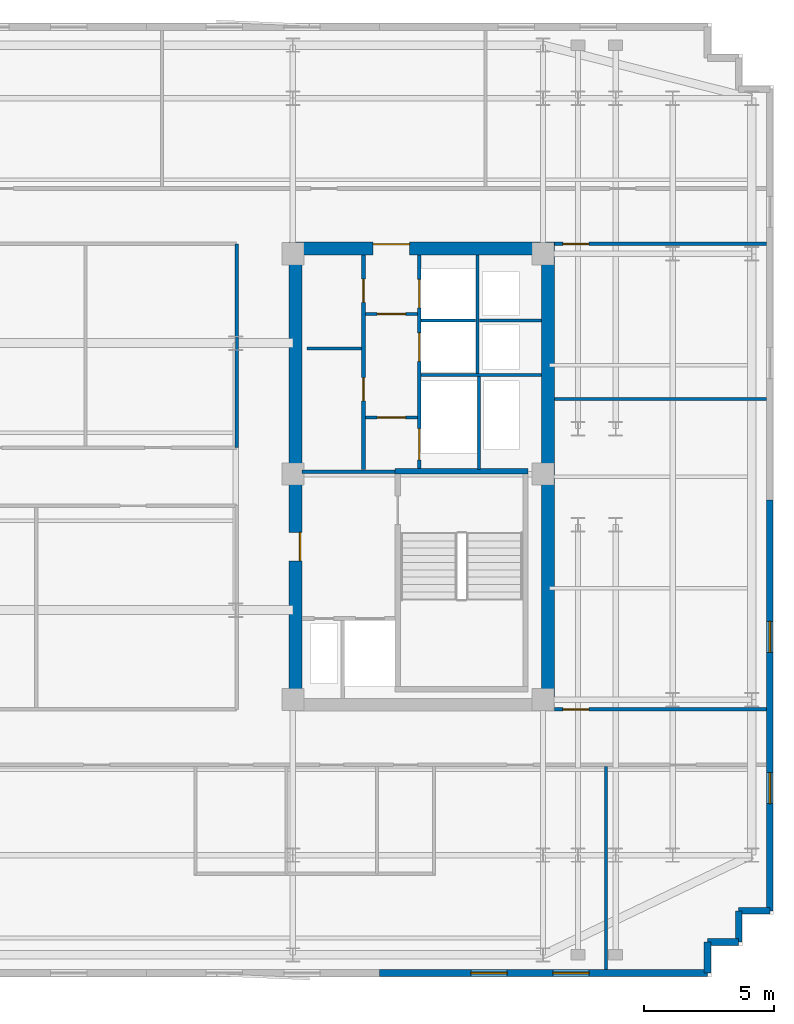
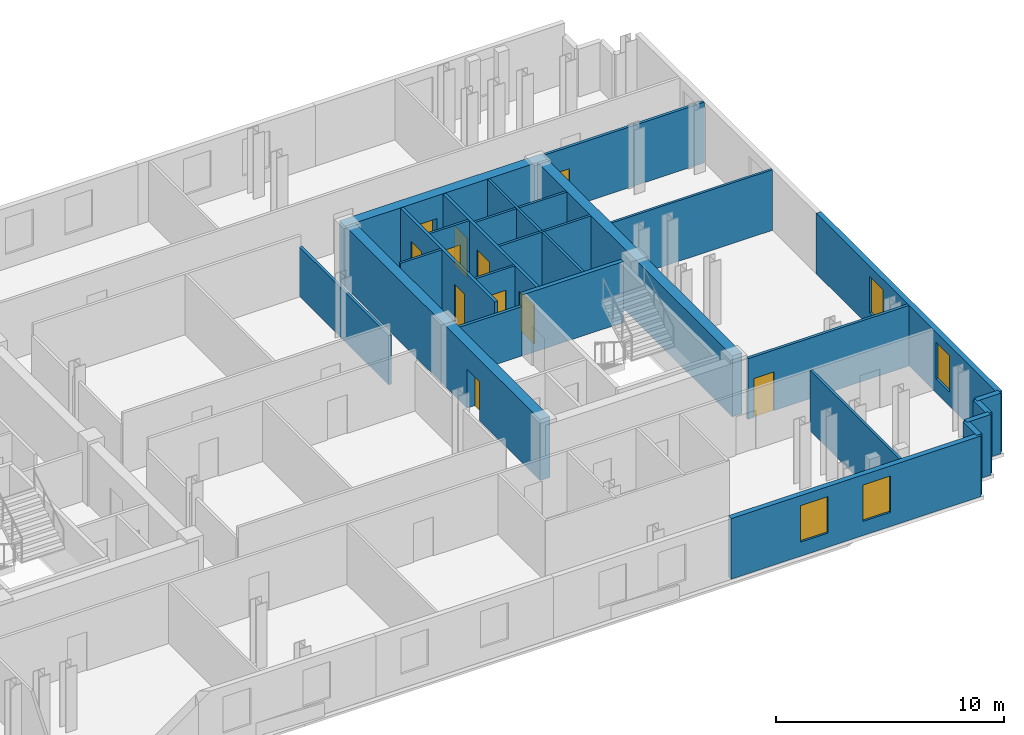
# One storey, part 6 of 9: 26 walls, 11 doors, 4 windows, 15 openings.
"""IFC4 building model written with IfcOpenShell, lengths in metres."""

from ifc_helpers import new_model, si_unit, direction, frame, frame_2d, origin, place, context, subcontext, project, spatial, rectangle, extrude, material, layer, layer_set, type_object, element, fill, save


model = new_model("IFC4")

# Units and contexts
model_context = context("Model", 3, precision=1e-05, world=origin(), true_north=direction((0.0, 1.0)))
body_context = subcontext(model_context, "Body", "Model", "MODEL_VIEW")
ifc_project = project(units=[si_unit("LENGTHUNIT", "METRE"), si_unit("AREAUNIT", "SQUARE_METRE"), si_unit("VOLUMEUNIT", "CUBIC_METRE"), si_unit("PLANEANGLEUNIT", "RADIAN"), si_unit("MASSUNIT", "GRAM", prefix="KILO")], contexts=[model_context])

# Site, building, storey
site_placement = place(None, origin())
site = spatial("IfcSite", under=ifc_project, at=site_placement, CompositionType="ELEMENT")
building_placement = place(site_placement, origin())
building = spatial("IfcBuilding", under=site, at=building_placement, Name="Velakula Bourse", CompositionType="ELEMENT")
storey_placement = place(building_placement, frame((0.0, 0.0, 218.85009765625)))
storey = spatial("IfcBuildingStorey", under=building, at=storey_placement, Name="L59", CompositionType="ELEMENT", Elevation=218.85009765625)

# Wall
ifc_material_1 = material(Name="Concrete M50 (fck 50 MPa)", Category="concrete")
ifc_layer_1 = layer(ifc_material_1, 0.2099609375, Name="Concrete M50 (fck 50 MPa)", Category="concrete")
ifc_layer_set_1 = layer_set([ifc_layer_1], Name="Concrete M50 (fck 50 MPa)")
wall_type_1 = type_object("IfcWallType", Name="WL-CORE-210", PredefinedType="SHEAR", material=ifc_layer_set_1)
wall_1_placement = place(storey_placement, frame((18.030029296875, 0.205078125, 0.0), z_axis=(0.0, 0.0, 1.0), x_axis=(-1.0, 0.0, 0.0)))
element("IfcWall", 1, at=wall_1_placement, inside=storey, type_object=wall_type_1, Name="L59 Core E Stairwell Shear Wall N", PredefinedType="SHEAR", context=body_context, shape_type="SweptSolid", body=[
    extrude(rectangle(XDim=5.14013671875, YDim=0.2099609375, at=frame_2d((2.570068359375, 0.0))), origin(), (0.0, 0.0, 1.0), 3.27001953125),
])

# Wall, opening, door
ifc_layer_2 = layer(ifc_material_1, 0.5, Name="Concrete M50 (fck 50 MPa)", Category="concrete")
ifc_layer_set_2 = layer_set([ifc_layer_2], Name="Concrete M50 (fck 50 MPa)")
wall_type_2 = type_object("IfcWallType", Name="WL-CORE-500", PredefinedType="SHEAR", material=ifc_layer_set_2)
wall_2_placement = place(storey_placement, frame((8.800048828125, 8.800048828125, 0.0), z_axis=(0.0, 0.0, 1.0), x_axis=(1.0, 0.0, 0.0)))
wall_2 = element("IfcWall", 2, at=wall_2_placement, inside=storey, type_object=wall_type_2, Name="L59 Core E Shear Wall N", PredefinedType="SHEAR", context=body_context, shape_type="SweptSolid", body=[
    extrude(rectangle(XDim=10.25, YDim=0.5, at=frame_2d((5.125, 0.0))), origin(), (0.0, 0.0, 1.0), 3.27001953125),
])
opening_1_placement = place(wall_2_placement, frame((3.25, 0.0, 0.0)))
opening_1 = element("IfcOpeningElement", 3, at=opening_1_placement, cuts=wall_2, Name="Opening D-LLE", PredefinedType="OPENING", context=body_context, shape_type="SweptSolid", body=[
    extrude(rectangle(XDim=1.39990234375, YDim=2.050048828125, at=frame_2d((0.699951171875, 1.02490234375))), frame((0.0, 0.260009765625, 0.0), z_axis=(0.0, -1.0, 0.0), x_axis=(1.0, 0.0, 0.0)), (0.0, 0.0, 1.0), 0.52001953125),
])
ifc_material_2 = material(Name="Fire-rated hardwood flush architectural door", Category="wood")
door_type_1 = type_object("IfcDoorType", Name="DR-DBL-FD60-1400", OperationType="DOUBLE_DOOR_SINGLE_SWING", PredefinedType="DOOR", material=ifc_material_2)
door_1_placement = place(opening_1_placement, origin())
door_1 = element("IfcDoor", 4, at=door_1_placement, inside=storey, type_object=door_type_1, Name="L59 Core E Lift Lobby Corridor Double Door", OperationType="DOUBLE_DOOR_SINGLE_SWING", OverallHeight=2.050048828125, OverallWidth=1.39990234375, PredefinedType="DOOR", context=body_context, shape_type="SweptSolid", body=[
    extrude(rectangle(XDim=1.39990234375, YDim=2.050048828125, at=frame_2d((0.699951171875, 1.02490234375))), frame((0.0, 0.19482421875, 0.0), z_axis=(0.0, -1.0, 0.0), x_axis=(1.0, 0.0, 0.0)), (0.0, 0.0, 1.0), 0.050048828125),
])
fill(opening_1, door_1)

wall_3_placement = place(storey_placement, frame((9.050048828125, -8.550048828125, 0.0), z_axis=(0.0, 0.0, 1.0), x_axis=(0.0, 1.0, 0.0)))
wall_3 = element("IfcWall", 5, at=wall_3_placement, inside=storey, type_object=wall_type_2, Name="L59 Core E Shear Wall W", PredefinedType="SHEAR", context=body_context, shape_type="SweptSolid", body=[
    extrude(rectangle(XDim=17.10009765625, YDim=0.5, at=frame_2d((8.550048828125, 0.0))), origin(), (0.0, 0.0, 1.0), 3.27001953125),
])
opening_2_placement = place(wall_3_placement, frame((5.300048828125, 0.0, 0.0)))
opening_2 = element("IfcOpeningElement", 6, at=opening_2_placement, cuts=wall_3, Name="Opening D-FLE", PredefinedType="OPENING", context=body_context, shape_type="SweptSolid", body=[
    extrude(rectangle(XDim=1.10009765625, YDim=2.080078125, at=frame_2d((0.550048828125, 1.0400390625))), frame((0.0, 0.260009765625, 0.0), z_axis=(0.0, -1.0, 0.0), x_axis=(1.0, 0.0, 0.0)), (0.0, 0.0, 1.0), 0.52001953125),
])
ifc_material_3 = material(Name="Galvanised painted hollow steel fire door", Category="steel")
door_type_2 = type_object("IfcDoorType", Name="DR-FD120-1100", OperationType="NOTDEFINED", PredefinedType="DOOR", material=ifc_material_3)
door_2_placement = place(opening_2_placement, origin())
door_2 = element("IfcDoor", 7, at=door_2_placement, inside=storey, type_object=door_type_2, Name="L59 Firefighting Lobby E Corridor Fire Door", OperationType="SINGLE_SWING_RIGHT", OverallHeight=2.080078125, OverallWidth=1.10009765625, PredefinedType="DOOR", context=body_context, shape_type="SweptSolid", body=[
    extrude(rectangle(XDim=1.10009765625, YDim=2.080078125, at=frame_2d((0.550048828125, 1.0400390625))), frame((0.0, -0.15478515625, 0.0), z_axis=(0.0, -1.0, 0.0), x_axis=(1.0, 0.0, 0.0)), (0.0, 0.0, 1.0), 0.050048828125),
])
fill(opening_2, door_2)

# Wall
wall_4_placement = place(storey_placement, frame((18.800048828125, -8.550048828125, 0.0), z_axis=(0.0, 0.0, 1.0), x_axis=(0.0, 1.0, 0.0)))
element("IfcWall", 8, at=wall_4_placement, inside=storey, type_object=wall_type_2, Name="L59 Core E Shear Wall E", PredefinedType="SHEAR", context=body_context, shape_type="SweptSolid", body=[
    extrude(rectangle(XDim=17.10009765625, YDim=0.5, at=frame_2d((8.550048828125, 0.0))), origin(), (0.0, 0.0, 1.0), 3.27001953125),
])

# Wall, openings, windows
ifc_material_4 = material(Name="Buff kilned clay facing brick masonry", Category="masonry")
ifc_layer_3 = layer(ifc_material_4, 0.260009765625, Name="Buff kilned clay facing brick masonry", Category="masonry")
ifc_layer_set_3 = layer_set([ifc_layer_3], Name="Buff kilned clay facing brick masonry")
wall_type_3 = type_object("IfcWallType", Name="WL-EXT-BRK-260", PredefinedType="STANDARD", material=ifc_layer_set_3)
wall_5_placement = place(storey_placement, frame((24.949951171875, -19.14990234375, 0.0), z_axis=(0.0, 0.0, 1.0), x_axis=(-1.0, 0.0, 0.0)))
wall_5 = element("IfcWall", 9, at=wall_5_placement, inside=storey, type_object=wall_type_3, Name="L59 S Brick Spandrel Wall B5", PredefinedType="STANDARD", context=body_context, shape_type="SweptSolid", body=[
    extrude(rectangle(XDim=12.64990234375, YDim=0.260009765625, at=frame_2d((6.324951171875, 0.0))), origin(), (0.0, 0.0, 1.0), 3.25),
])
opening_3_placement = place(wall_5_placement, frame((4.566650390625, 0.0, 0.760009765625)))
opening_3 = element("IfcOpeningElement", 10, at=opening_3_placement, cuts=wall_5, Name="Opening W-03", PredefinedType="OPENING", context=body_context, shape_type="SweptSolid", body=[
    extrude(rectangle(XDim=1.39990234375, YDim=1.949951171875, at=frame_2d((0.699951171875, 0.97509765625))), frame((0.0, 0.139892578125, 0.0), z_axis=(0.0, -1.0, 0.0), x_axis=(1.0, 0.0, 0.0)), (0.0, 0.0, 1.0), 0.280029296875),
])
opening_4_placement = place(wall_5_placement, frame((7.7333984375, 0.0, 0.760009765625)))
opening_4 = element("IfcOpeningElement", 11, at=opening_4_placement, cuts=wall_5, Name="Opening W-03", PredefinedType="OPENING", context=body_context, shape_type="SweptSolid", body=[
    extrude(rectangle(XDim=1.39990234375, YDim=1.949951171875, at=frame_2d((0.699951171875, 0.97509765625))), frame((0.0, 0.139892578125, 0.0), z_axis=(0.0, -1.0, 0.0), x_axis=(1.0, 0.0, 0.0)), (0.0, 0.0, 1.0), 0.280029296875),
])
ifc_material_5 = material(Name="Double-glazed solar-control Low-E glass", Category="glass")
window_type_1 = type_object("IfcWindowType", Name="WIN-TWR-1400x2100", PartitioningType="SINGLE_PANEL", PredefinedType="WINDOW", material=ifc_material_5)
window_1_placement = place(opening_3_placement, origin())
window_1 = element("IfcWindow", 12, at=window_1_placement, inside=storey, type_object=window_type_1, Name="L59 Deep-Set Recessed Window 1", OverallHeight=1.949951171875, OverallWidth=1.39990234375, PartitioningType="SINGLE_PANEL", PredefinedType="WINDOW", context=body_context, shape_type="SweptSolid", body=[
    extrude(rectangle(XDim=1.39990234375, YDim=1.949951171875, at=frame_2d((0.699951171875, 0.97509765625))), frame((0.0, 0.030029296875, 0.0), z_axis=(0.0, -1.0, 0.0), x_axis=(1.0, 0.0, 0.0)), (0.0, 0.0, 1.0), 0.06005859375),
])
fill(opening_3, window_1)
window_2_placement = place(opening_4_placement, origin())
window_2 = element("IfcWindow", 13, at=window_2_placement, inside=storey, type_object=window_type_1, Name="L59 Deep-Set Recessed Window 2", OverallHeight=1.949951171875, OverallWidth=1.39990234375, PartitioningType="SINGLE_PANEL", PredefinedType="WINDOW", context=body_context, shape_type="SweptSolid", body=[
    extrude(rectangle(XDim=1.39990234375, YDim=1.949951171875, at=frame_2d((0.699951171875, 0.97509765625))), frame((0.0, 0.030029296875, 0.0), z_axis=(0.0, -1.0, 0.0), x_axis=(1.0, 0.0, 0.0)), (0.0, 0.0, 1.0), 0.06005859375),
])
fill(opening_4, window_2)

wall_6_placement = place(storey_placement, frame((27.35009765625, -0.89990234375, 0.0), z_axis=(0.0, 0.0, 1.0), x_axis=(0.0, -1.0, 0.0)))
wall_6 = element("IfcWall", 14, at=wall_6_placement, inside=storey, type_object=wall_type_3, Name="L59 E Brick End Wall W1", PredefinedType="STANDARD", context=body_context, shape_type="SweptSolid", body=[
    extrude(rectangle(XDim=15.85009765625, YDim=0.260009765625, at=frame_2d((7.925048828125, 0.0))), origin(), (0.0, 0.0, 1.0), 3.25),
])
opening_5_placement = place(wall_6_placement, frame((4.683349609375, 0.0, 0.760009765625)))
opening_5 = element("IfcOpeningElement", 15, at=opening_5_placement, cuts=wall_6, Name="Opening W-04", PredefinedType="OPENING", context=body_context, shape_type="SweptSolid", body=[
    extrude(rectangle(XDim=1.199951171875, YDim=1.949951171875, at=frame_2d((0.60009765625, 0.97509765625))), frame((0.0, 0.139892578125, 0.0), z_axis=(0.0, -1.0, 0.0), x_axis=(1.0, 0.0, 0.0)), (0.0, 0.0, 1.0), 0.280029296875),
])
opening_6_placement = place(wall_6_placement, frame((10.5166015625, 0.0, 0.760009765625)))
opening_6 = element("IfcOpeningElement", 16, at=opening_6_placement, cuts=wall_6, Name="Opening W-04", PredefinedType="OPENING", context=body_context, shape_type="SweptSolid", body=[
    extrude(rectangle(XDim=1.199951171875, YDim=1.949951171875, at=frame_2d((0.60009765625, 0.97509765625))), frame((0.0, 0.139892578125, 0.0), z_axis=(0.0, -1.0, 0.0), x_axis=(1.0, 0.0, 0.0)), (0.0, 0.0, 1.0), 0.280029296875),
])
window_type_2 = type_object("IfcWindowType", Name="WIN-TWR-1200x2100", PartitioningType="SINGLE_PANEL", PredefinedType="WINDOW", material=ifc_material_5)
window_3_placement = place(opening_5_placement, origin())
window_3 = element("IfcWindow", 17, at=window_3_placement, inside=storey, type_object=window_type_2, Name="L59 Deep-Set Recessed Window 1", OverallHeight=1.949951171875, OverallWidth=1.199951171875, PartitioningType="SINGLE_PANEL", PredefinedType="WINDOW", context=body_context, shape_type="SweptSolid", body=[
    extrude(rectangle(XDim=1.199951171875, YDim=1.949951171875, at=frame_2d((0.60009765625, 0.97509765625))), frame((0.0, 0.030029296875, 0.0), z_axis=(0.0, -1.0, 0.0), x_axis=(1.0, 0.0, 0.0)), (0.0, 0.0, 1.0), 0.06005859375),
])
fill(opening_5, window_3)
window_4_placement = place(opening_6_placement, origin())
window_4 = element("IfcWindow", 18, at=window_4_placement, inside=storey, type_object=window_type_2, Name="L59 Deep-Set Recessed Window 2", OverallHeight=1.949951171875, OverallWidth=1.199951171875, PartitioningType="SINGLE_PANEL", PredefinedType="WINDOW", context=body_context, shape_type="SweptSolid", body=[
    extrude(rectangle(XDim=1.199951171875, YDim=1.949951171875, at=frame_2d((0.60009765625, 0.97509765625))), frame((0.0, 0.030029296875, 0.0), z_axis=(0.0, -1.0, 0.0), x_axis=(1.0, 0.0, 0.0)), (0.0, 0.0, 1.0), 0.06005859375),
])
fill(opening_6, window_4)

# Walls
for number, where, z_axis, x_axis, name in (
    (19, (24.949951171875, -19.14990234375, 0.0), (0.0, 0.0, 1.0), (0.0, 1.0, 0.0), "L59 Serrated Corner Brick Wall SE-1"),
    (20, (24.949951171875, -17.949951171875, 0.0), (0.0, 0.0, 1.0), (1.0, 0.0, 0.0), "L59 Serrated Corner Brick Wall SE-2"),
    (21, (26.14990234375, -17.949951171875, 0.0), (0.0, 0.0, 1.0), (0.0, 1.0, 0.0), "L59 Serrated Corner Brick Wall SE-3"),
):
    element("IfcWall", number, at=place(storey_placement, frame(where, z_axis=z_axis, x_axis=x_axis)), inside=storey, type_object=wall_type_3, Name=name, PredefinedType="STANDARD", context=body_context, shape_type="SweptSolid", body=[
        extrude(rectangle(XDim=1.199951171875, YDim=0.260009765625, at=frame_2d((0.60009765625, 0.0))), origin(), (0.0, 0.0, 1.0), 3.25),
    ])
wall_7_placement = place(storey_placement, frame((26.14990234375, -16.75, 0.0), z_axis=(0.0, 0.0, 1.0), x_axis=(1.0, 0.0, 0.0)))
element("IfcWall", 22, at=wall_7_placement, inside=storey, type_object=wall_type_3, Name="L59 Serrated Corner Brick Wall SE-4", PredefinedType="STANDARD", context=body_context, shape_type="SweptSolid", body=[
    extrude(rectangle(XDim=1.2001953125, YDim=0.260009765625, at=frame_2d((0.60009765625, 0.0))), origin(), (0.0, 0.0, 1.0), 3.25),
])

# Wall, opening, door
ifc_material_6 = material(Name="Fire-rated double-layer gypsum drywall partition", Category="gypsum")
ifc_layer_4 = layer(ifc_material_6, 0.1201171875, Name="Fire-rated double-layer gypsum drywall partition", Category="gypsum")
ifc_layer_set_4 = layer_set([ifc_layer_4], Name="Fire-rated double-layer gypsum drywall partition")
wall_type_4 = type_object("IfcWallType", Name="WL-PART-120", PredefinedType="STANDARD", material=ifc_layer_set_4)
wall_8_placement = place(storey_placement, frame((11.75, 2.280029296875, 0.0), z_axis=(0.0, 0.0, 1.0), x_axis=(1.0, 0.0, 0.0)))
wall_8 = element("IfcWall", 23, at=wall_8_placement, inside=storey, type_object=wall_type_4, Name="L59 Interior Partition WL-CRE-L59-LL-K3A", PredefinedType="STANDARD", context=body_context, shape_type="SweptSolid", body=[
    extrude(rectangle(XDim=2.0, YDim=0.1201171875, at=frame_2d((1.0, 0.0))), origin(), (0.0, 0.0, 1.0), 3.25),
])
opening_7_placement = place(wall_8_placement, frame((0.449951171875, 0.0, 0.0)))
opening_7 = element("IfcOpeningElement", 24, at=opening_7_placement, cuts=wall_8, Name="Opening D-LK3", PredefinedType="OPENING", context=body_context, shape_type="SweptSolid", body=[
    extrude(rectangle(XDim=1.10009765625, YDim=2.10009765625, at=frame_2d((0.550048828125, 1.050048828125))), frame((0.0, 0.070068359375, 0.0), z_axis=(0.0, -1.0, 0.0), x_axis=(1.0, 0.0, 0.0)), (0.0, 0.0, 1.0), 0.14013671875),
])
door_type_3 = type_object("IfcDoorType", Name="DR-FD60-1100x2100", OperationType="NOTDEFINED", PredefinedType="DOOR", material=ifc_material_2)
door_3_placement = place(opening_7_placement, origin())
door_3 = element("IfcDoor", 25, at=door_3_placement, inside=storey, type_object=door_type_3, Name="L59 Core E Lift Lobby Vestibule Door A", OperationType="SINGLE_SWING_RIGHT", OverallHeight=2.10009765625, OverallWidth=1.10009765625, PredefinedType="DOOR", context=body_context, shape_type="SweptSolid", body=[
    extrude(rectangle(XDim=1.10009765625, YDim=2.10009765625, at=frame_2d((0.550048828125, 1.050048828125))), frame((0.0, 0.02490234375, 0.0), z_axis=(0.0, -1.0, 0.0), x_axis=(1.0, 0.0, 0.0)), (0.0, 0.0, 1.0), 0.050048828125),
])
fill(opening_7, door_3)

wall_9_placement = place(storey_placement, frame((11.75, 6.280029296875, 0.0), z_axis=(0.0, 0.0, 1.0), x_axis=(1.0, 0.0, 0.0)))
wall_9 = element("IfcWall", 26, at=wall_9_placement, inside=storey, type_object=wall_type_4, Name="L59 Interior Partition WL-CRE-L59-LL-K3B", PredefinedType="STANDARD", context=body_context, shape_type="SweptSolid", body=[
    extrude(rectangle(XDim=2.0, YDim=0.1201171875, at=frame_2d((1.0, 0.0))), origin(), (0.0, 0.0, 1.0), 3.25),
])
opening_8_placement = place(wall_9_placement, frame((0.449951171875, 0.0, 0.0)))
opening_8 = element("IfcOpeningElement", 27, at=opening_8_placement, cuts=wall_9, Name="Opening D-LK3", PredefinedType="OPENING", context=body_context, shape_type="SweptSolid", body=[
    extrude(rectangle(XDim=1.10009765625, YDim=2.10009765625, at=frame_2d((0.550048828125, 1.050048828125))), frame((0.0, 0.070068359375, 0.0), z_axis=(0.0, -1.0, 0.0), x_axis=(1.0, 0.0, 0.0)), (0.0, 0.0, 1.0), 0.14013671875),
])
door_4_placement = place(opening_8_placement, origin())
door_4 = element("IfcDoor", 28, at=door_4_placement, inside=storey, type_object=door_type_3, Name="L59 Core E Lift Lobby Vestibule Door B", OperationType="SINGLE_SWING_RIGHT", OverallHeight=2.10009765625, OverallWidth=1.10009765625, PredefinedType="DOOR", context=body_context, shape_type="SweptSolid", body=[
    extrude(rectangle(XDim=1.10009765625, YDim=2.10009765625, at=frame_2d((0.550048828125, 1.050048828125))), frame((0.0, 0.02490234375, 0.0), z_axis=(0.0, -1.0, 0.0), x_axis=(1.0, 0.0, 0.0)), (0.0, 0.0, 1.0), 0.050048828125),
])
fill(opening_8, door_4)

# Walls
wall_10_placement = place(storey_placement, frame((9.5, 4.949951171875, 0.0), z_axis=(0.0, 0.0, 1.0), x_axis=(1.0, 0.0, 0.0)))
element("IfcWall", 29, at=wall_10_placement, inside=storey, type_object=wall_type_4, Name="L59 Interior Partition WL-CRE-L59-RCDIV", PredefinedType="STANDARD", context=body_context, shape_type="SweptSolid", body=[
    extrude(rectangle(XDim=2.10009765625, YDim=0.1201171875, at=frame_2d((1.050048828125, 0.0))), origin(), (0.0, 0.0, 1.0), 3.25),
])
wall_11_placement = place(storey_placement, frame((13.89990234375, 3.919921875, 0.0), z_axis=(0.0, 0.0, 1.0), x_axis=(1.0, 0.0, 0.0)))
element("IfcWall", 30, at=wall_11_placement, inside=storey, type_object=wall_type_4, Name="L59 Interior Partition WL-CRE-L59-HI-S", PredefinedType="STANDARD", context=body_context, shape_type="SweptSolid", body=[
    extrude(rectangle(XDim=4.650146484375, YDim=0.1201171875, at=frame_2d((2.3251953125, 0.0))), origin(), (0.0, 0.0, 1.0), 3.25),
])
wall_12_placement = place(storey_placement, frame((16.14990234375, 6.030029296875, 0.0), z_axis=(0.0, 0.0, 1.0), x_axis=(1.0, 0.0, 0.0)))
element("IfcWall", 31, at=wall_12_placement, inside=storey, type_object=wall_type_4, Name="L59 Interior Partition WL-CRE-L59-RIS-MID", PredefinedType="STANDARD", context=body_context, shape_type="SweptSolid", body=[
    extrude(rectangle(XDim=2.400146484375, YDim=0.1201171875, at=frame_2d((1.2001953125, 0.0))), origin(), (0.0, 0.0, 1.0), 3.25),
])
wall_13_placement = place(storey_placement, frame((16.074951171875, 3.97998046875, 0.0), z_axis=(0.0, 0.0, 1.0), x_axis=(0.0, 1.0, 0.0)))
element("IfcWall", 32, at=wall_13_placement, inside=storey, type_object=wall_type_4, Name="L59 Interior Partition WL-CRE-L59-RIS-F", PredefinedType="STANDARD", context=body_context, shape_type="SweptSolid", body=[
    extrude(rectangle(XDim=4.570068359375, YDim=0.1201171875, at=frame_2d((2.28515625, 0.0))), origin(), (0.0, 0.0, 1.0), 3.25),
])
wall_14_placement = place(storey_placement, frame((13.89990234375, 6.030029296875, 0.0), z_axis=(0.0, 0.0, 1.0), x_axis=(1.0, 0.0, 0.0)))
element("IfcWall", 33, at=wall_14_placement, inside=storey, type_object=wall_type_4, Name="L59 Interior Partition WL-CRE-L59-HI-DIV", PredefinedType="STANDARD", context=body_context, shape_type="SweptSolid", body=[
    extrude(rectangle(XDim=2.10009765625, YDim=0.1201171875, at=frame_2d((1.050048828125, 0.0))), origin(), (0.0, 0.0, 1.0), 3.25),
])
wall_15_placement = place(storey_placement, frame((16.125, 0.27001953125, 0.0), z_axis=(0.0, 0.0, 1.0), x_axis=(0.0, 1.0, 0.0)))
element("IfcWall", 34, at=wall_15_placement, inside=storey, type_object=wall_type_4, Name="L59 Interior Partition WL-CRE-L59-SVL-E", PredefinedType="STANDARD", context=body_context, shape_type="SweptSolid", body=[
    extrude(rectangle(XDim=3.590087890625, YDim=0.1201171875, at=frame_2d((1.794921875, 0.0))), origin(), (0.0, 0.0, 1.0), 3.25),
])
wall_16_placement = place(storey_placement, frame((21.034912109375, -19.02001953125, 0.0), z_axis=(0.0, 0.0, 1.0), x_axis=(0.0, 1.0, 0.0)))
element("IfcWall", 35, at=wall_16_placement, inside=storey, type_object=wall_type_4, Name="L59 Interior Partition WL-INT-L59-SR-D8", PredefinedType="STANDARD", context=body_context, shape_type="SweptSolid", body=[
    extrude(rectangle(XDim=7.830078125, YDim=0.1201171875, at=frame_2d((3.9150390625, 0.0))), origin(), (0.0, 0.0, 1.0), 3.25),
])
wall_17_placement = place(storey_placement, frame((19.050048828125, 3.0, 0.0), z_axis=(0.0, 0.0, 1.0), x_axis=(1.0, 0.0, 0.0)))
element("IfcWall", 36, at=wall_17_placement, inside=storey, type_object=wall_type_4, Name="L59 Interior Partition WL-INT-L59-E-H", PredefinedType="STANDARD", context=body_context, shape_type="SweptSolid", body=[
    extrude(rectangle(XDim=8.169921875, YDim=0.1201171875, at=frame_2d((4.0849609375, 0.0))), origin(), (0.0, 0.0, 1.0), 3.25),
])

# Wall, opening, door
ifc_layer_5 = layer(ifc_material_6, 0.139892578125, Name="Fire-rated double-layer gypsum drywall partition", Category="gypsum")
ifc_layer_set_5 = layer_set([ifc_layer_5], Name="Fire-rated double-layer gypsum drywall partition")
wall_type_5 = type_object("IfcWallType", Name="WL-PART-140", PredefinedType="STANDARD", material=ifc_layer_set_5)
wall_18_placement = place(storey_placement, frame((19.050048828125, 8.97998046875, 0.0), z_axis=(0.0, 0.0, 1.0), x_axis=(1.0, 0.0, 0.0)))
wall_18 = element("IfcWall", 37, at=wall_18_placement, inside=storey, type_object=wall_type_5, Name="L59 Interior Partition WL-INT-L59-E-NC", PredefinedType="STANDARD", context=body_context, shape_type="SweptSolid", body=[
    extrude(rectangle(XDim=8.169921875, YDim=0.139892578125, at=frame_2d((4.0849609375, 0.0))), origin(), (0.0, 0.0, 1.0), 3.25),
])
opening_9_placement = place(wall_18_placement, frame((0.320068359375, 0.0, 0.0)))
opening_9 = element("IfcOpeningElement", 38, at=opening_9_placement, cuts=wall_18, Name="Opening D-OF1", PredefinedType="OPENING", context=body_context, shape_type="SweptSolid", body=[
    extrude(rectangle(XDim=1.0, YDim=2.080078125, at=frame_2d((0.5, 1.0400390625))), frame((0.0, 0.079833984375, 0.0), z_axis=(0.0, -1.0, 0.0), x_axis=(1.0, 0.0, 0.0)), (0.0, 0.0, 1.0), 0.159912109375),
])
door_type_4 = type_object("IfcDoorType", Name="DR-OFF-1000", OperationType="NOTDEFINED", PredefinedType="DOOR", material=ifc_material_2)
door_5_placement = place(opening_9_placement, origin())
door_5 = element("IfcDoor", 39, at=door_5_placement, inside=storey, type_object=door_type_4, Name="L59 Bullion Assay Office Door", OperationType="SINGLE_SWING_LEFT", OverallHeight=2.080078125, OverallWidth=1.0, PredefinedType="DOOR", context=body_context, shape_type="SweptSolid", body=[
    extrude(rectangle(XDim=1.0, YDim=2.080078125, at=frame_2d((0.5, 1.0400390625))), frame((0.0, 0.02490234375, 0.0), z_axis=(0.0, -1.0, 0.0), x_axis=(1.0, 0.0, 0.0)), (0.0, 0.0, 1.0), 0.050048828125),
])
fill(opening_9, door_5)

wall_19_placement = place(storey_placement, frame((19.050048828125, -8.97998046875, 0.0), z_axis=(0.0, 0.0, 1.0), x_axis=(1.0, 0.0, 0.0)))
wall_19 = element("IfcWall", 40, at=wall_19_placement, inside=storey, type_object=wall_type_5, Name="L59 Interior Partition WL-INT-L59-E-SC", PredefinedType="STANDARD", context=body_context, shape_type="SweptSolid", body=[
    extrude(rectangle(XDim=8.169921875, YDim=0.139892578125, at=frame_2d((4.0849609375, 0.0))), origin(), (0.0, 0.0, 1.0), 3.25),
])
opening_10_placement = place(wall_19_placement, frame((0.320068359375, 0.0, 0.0)))
opening_10 = element("IfcOpeningElement", 41, at=opening_10_placement, cuts=wall_19, Name="Opening D-OF1", PredefinedType="OPENING", context=body_context, shape_type="SweptSolid", body=[
    extrude(rectangle(XDim=1.0, YDim=2.080078125, at=frame_2d((0.5, 1.0400390625))), frame((0.0, 0.079833984375, 0.0), z_axis=(0.0, -1.0, 0.0), x_axis=(1.0, 0.0, 0.0)), (0.0, 0.0, 1.0), 0.159912109375),
])
door_6_placement = place(opening_10_placement, origin())
door_6 = element("IfcDoor", 42, at=door_6_placement, inside=storey, type_object=door_type_4, Name="L59 Cybersecurity Operations Workspace Door", OperationType="SINGLE_SWING_RIGHT", OverallHeight=2.080078125, OverallWidth=1.0, PredefinedType="DOOR", context=body_context, shape_type="SweptSolid", body=[
    extrude(rectangle(XDim=1.0, YDim=2.080078125, at=frame_2d((0.5, 1.0400390625))), frame((0.0, 0.02490234375, 0.0), z_axis=(0.0, -1.0, 0.0), x_axis=(1.0, 0.0, 0.0)), (0.0, 0.0, 1.0), 0.050048828125),
])
fill(opening_10, door_6)

# Walls
wall_20_placement = place(storey_placement, frame((6.780029296875, 1.1201171875, 0.0), z_axis=(0.0, 0.0, 1.0), x_axis=(0.0, 1.0, 0.0)))
element("IfcWall", 43, at=wall_20_placement, inside=storey, type_object=wall_type_5, Name="L59 Interior Partition WL-INT-L59-MN-E", PredefinedType="STANDARD", context=body_context, shape_type="SweptSolid", body=[
    extrude(rectangle(XDim=7.85986328125, YDim=0.139892578125, at=frame_2d((3.929931640625, 0.0))), origin(), (0.0, 0.0, 1.0), 2.64501953125),
])
ifc_material_7 = material(Name="Autoclaved aerated concrete blockwork masonry", Category="masonry")
ifc_layer_6 = layer(ifc_material_7, 0.14990234375, Name="Autoclaved aerated concrete blockwork masonry", Category="masonry")
ifc_layer_set_6 = layer_set([ifc_layer_6], Name="Autoclaved aerated concrete blockwork masonry")
wall_type_6 = type_object("IfcWallType", Name="WL-SHAFT-150", PredefinedType="STANDARD", material=ifc_layer_set_6)
wall_21_placement = place(storey_placement, frame((9.300048828125, 0.18994140625, 0.0), z_axis=(0.0, 0.0, 1.0), x_axis=(1.0, 0.0, 0.0)))
element("IfcWall", 44, at=wall_21_placement, inside=storey, type_object=wall_type_6, Name="L59 Interior Partition WL-CRE-L59-FF-TOP", PredefinedType="STANDARD", context=body_context, shape_type="SweptSolid", body=[
    extrude(rectangle(XDim=3.58984375, YDim=0.14990234375, at=frame_2d((1.794921875, 0.0))), origin(), (0.0, 0.0, 1.0), 2.64501953125),
])

# Wall, openings, doors
wall_22_placement = place(storey_placement, frame((11.675048828125, 0.27001953125, 0.0), z_axis=(0.0, 0.0, 1.0), x_axis=(0.0, 1.0, 0.0)))
wall_22 = element("IfcWall", 45, at=wall_22_placement, inside=storey, type_object=wall_type_6, Name="L59 Interior Partition WL-CRE-L59-BANK-F", PredefinedType="STANDARD", context=body_context, shape_type="SweptSolid", body=[
    extrude(rectangle(XDim=8.280029296875, YDim=0.14990234375, at=frame_2d((4.14013671875, 0.0))), origin(), (0.0, 0.0, 1.0), 3.25),
])
opening_11_placement = place(wall_22_placement, frame((2.64990234375, 0.0, 0.0)))
opening_11 = element("IfcOpeningElement", 46, at=opening_11_placement, cuts=wall_22, Name="Opening D-RC2", PredefinedType="OPENING", context=body_context, shape_type="SweptSolid", body=[
    extrude(rectangle(XDim=0.89990234375, YDim=2.050048828125, at=frame_2d((0.449951171875, 1.02490234375))), frame((0.0, 0.0849609375, 0.0), z_axis=(0.0, -1.0, 0.0), x_axis=(1.0, 0.0, 0.0)), (0.0, 0.0, 1.0), 0.169921875),
])
opening_12_placement = place(wall_22_placement, frame((6.449951171875, 0.0, 0.0)))
opening_12 = element("IfcOpeningElement", 47, at=opening_12_placement, cuts=wall_22, Name="Opening D-RC2", PredefinedType="OPENING", context=body_context, shape_type="SweptSolid", body=[
    extrude(rectangle(XDim=0.89990234375, YDim=2.050048828125, at=frame_2d((0.449951171875, 1.02490234375))), frame((0.0, 0.0849609375, 0.0), z_axis=(0.0, -1.0, 0.0), x_axis=(1.0, 0.0, 0.0)), (0.0, 0.0, 1.0), 0.169921875),
])
door_type_5 = type_object("IfcDoorType", Name="DR-FD60-900", OperationType="NOTDEFINED", PredefinedType="DOOR", material=ifc_material_2)
door_7_placement = place(opening_11_placement, origin())
door_7 = element("IfcDoor", 48, at=door_7_placement, inside=storey, type_object=door_type_5, Name="L59 Reclaimed Vault Room Door", OperationType="SINGLE_SWING_LEFT", OverallHeight=2.050048828125, OverallWidth=0.89990234375, PredefinedType="DOOR", context=body_context, shape_type="SweptSolid", body=[
    extrude(rectangle(XDim=0.89990234375, YDim=2.050048828125, at=frame_2d((0.449951171875, 1.02490234375))), frame((0.0, 0.02490234375, 0.0), z_axis=(0.0, -1.0, 0.0), x_axis=(1.0, 0.0, 0.0)), (0.0, 0.0, 1.0), 0.050048828125),
])
fill(opening_11, door_7)
door_8_placement = place(opening_12_placement, origin())
door_8 = element("IfcDoor", 49, at=door_8_placement, inside=storey, type_object=door_type_5, Name="L59 Reclaimed Depository Store Door", OperationType="SINGLE_SWING_RIGHT", OverallHeight=2.050048828125, OverallWidth=0.89990234375, PredefinedType="DOOR", context=body_context, shape_type="SweptSolid", body=[
    extrude(rectangle(XDim=0.89990234375, YDim=2.050048828125, at=frame_2d((0.449951171875, 1.02490234375))), frame((0.0, 0.02490234375, 0.0), z_axis=(0.0, -1.0, 0.0), x_axis=(1.0, 0.0, 0.0)), (0.0, 0.0, 1.0), 0.050048828125),
])
fill(opening_12, door_8)

wall_23_placement = place(storey_placement, frame((13.824951171875, 0.27001953125, 0.0), z_axis=(0.0, 0.0, 1.0), x_axis=(0.0, 1.0, 0.0)))
wall_23 = element("IfcWall", 50, at=wall_23_placement, inside=storey, type_object=wall_type_6, Name="L59 Interior Partition WL-CRE-L59-OUT-F", PredefinedType="STANDARD", context=body_context, shape_type="SweptSolid", body=[
    extrude(rectangle(XDim=8.280029296875, YDim=0.14990234375, at=frame_2d((4.14013671875, 0.0))), origin(), (0.0, 0.0, 1.0), 3.25),
])
opening_13_placement = place(wall_23_placement, frame((4.175048828125, 0.0, 0.0)))
opening_13 = element("IfcOpeningElement", 51, at=opening_13_placement, cuts=wall_23, Name="Opening LD-P11", PredefinedType="OPENING", context=body_context, shape_type="SweptSolid", body=[
    extrude(rectangle(XDim=1.10009765625, YDim=2.10009765625, at=frame_2d((0.550048828125, 1.050048828125))), frame((0.0, 0.0849609375, 0.0), z_axis=(0.0, -1.0, 0.0), x_axis=(1.0, 0.0, 0.0)), (0.0, 0.0, 1.0), 0.169921875),
])
opening_14_placement = place(wall_23_placement, frame((6.2451171875, 0.0, 0.0)))
opening_14 = element("IfcOpeningElement", 52, at=opening_14_placement, cuts=wall_23, Name="Opening LD-P12", PredefinedType="OPENING", context=body_context, shape_type="SweptSolid", body=[
    extrude(rectangle(XDim=1.10009765625, YDim=2.10009765625, at=frame_2d((0.550048828125, 1.050048828125))), frame((0.0, 0.0849609375, 0.0), z_axis=(0.0, -1.0, 0.0), x_axis=(1.0, 0.0, 0.0)), (0.0, 0.0, 1.0), 0.169921875),
])
opening_15_placement = place(wall_23_placement, frame((0.3798828125, 0.0, 0.0)))
opening_15 = element("IfcOpeningElement", 53, at=opening_15_placement, cuts=wall_23, Name="Opening LD-SVL1", PredefinedType="OPENING", context=body_context, shape_type="SweptSolid", body=[
    extrude(rectangle(XDim=1.199951171875, YDim=2.10009765625, at=frame_2d((0.60009765625, 1.050048828125))), frame((0.0, 0.0849609375, 0.0), z_axis=(0.0, -1.0, 0.0), x_axis=(1.0, 0.0, 0.0)), (0.0, 0.0, 1.0), 0.169921875),
])
ifc_material_8 = material(Name="Brushed grade 316 stainless steel", Category="steel")
door_type_6 = type_object("IfcDoorType", Name="DR-SLIDE-LD-1100", OperationType="DOUBLE_DOOR_SLIDING", PredefinedType="DOOR", material=ifc_material_8)
door_9_placement = place(opening_13_placement, origin())
door_9 = element("IfcDoor", 54, at=door_9_placement, inside=storey, type_object=door_type_6, Name="L59 Passenger Lift P11 Sliding Landing Door", OperationType="DOUBLE_DOOR_SLIDING", OverallHeight=2.10009765625, OverallWidth=1.10009765625, PredefinedType="DOOR", context=body_context, shape_type="SweptSolid", body=[
    extrude(rectangle(XDim=1.10009765625, YDim=2.10009765625, at=frame_2d((0.550048828125, 1.050048828125))), frame((0.0, 0.02490234375, 0.0), z_axis=(0.0, -1.0, 0.0), x_axis=(1.0, 0.0, 0.0)), (0.0, 0.0, 1.0), 0.050048828125),
])
fill(opening_13, door_9)
door_10_placement = place(opening_14_placement, origin())
door_10 = element("IfcDoor", 55, at=door_10_placement, inside=storey, type_object=door_type_6, Name="L59 Passenger Lift P12 Sliding Landing Door", OperationType="DOUBLE_DOOR_SLIDING", OverallHeight=2.10009765625, OverallWidth=1.10009765625, PredefinedType="DOOR", context=body_context, shape_type="SweptSolid", body=[
    extrude(rectangle(XDim=1.10009765625, YDim=2.10009765625, at=frame_2d((0.550048828125, 1.050048828125))), frame((0.0, 0.02490234375, 0.0), z_axis=(0.0, -1.0, 0.0), x_axis=(1.0, 0.0, 0.0)), (0.0, 0.0, 1.0), 0.050048828125),
])
fill(opening_14, door_10)
door_type_7 = type_object("IfcDoorType", Name="DR-SLIDE-LD-1200", OperationType="DOUBLE_DOOR_SLIDING", PredefinedType="DOOR", material=ifc_material_8)
door_11_placement = place(opening_15_placement, origin())
door_11 = element("IfcDoor", 56, at=door_11_placement, inside=storey, type_object=door_type_7, Name="L59 Service Lift SVL-1 Sliding Landing Door", OperationType="DOUBLE_DOOR_SLIDING", OverallHeight=2.10009765625, OverallWidth=1.199951171875, PredefinedType="DOOR", context=body_context, shape_type="SweptSolid", body=[
    extrude(rectangle(XDim=1.199951171875, YDim=2.10009765625, at=frame_2d((0.60009765625, 1.050048828125))), frame((0.0, 0.02490234375, 0.0), z_axis=(0.0, -1.0, 0.0), x_axis=(1.0, 0.0, 0.0)), (0.0, 0.0, 1.0), 0.050048828125),
])
fill(opening_15, door_11)

save(model, "model.ifc")
